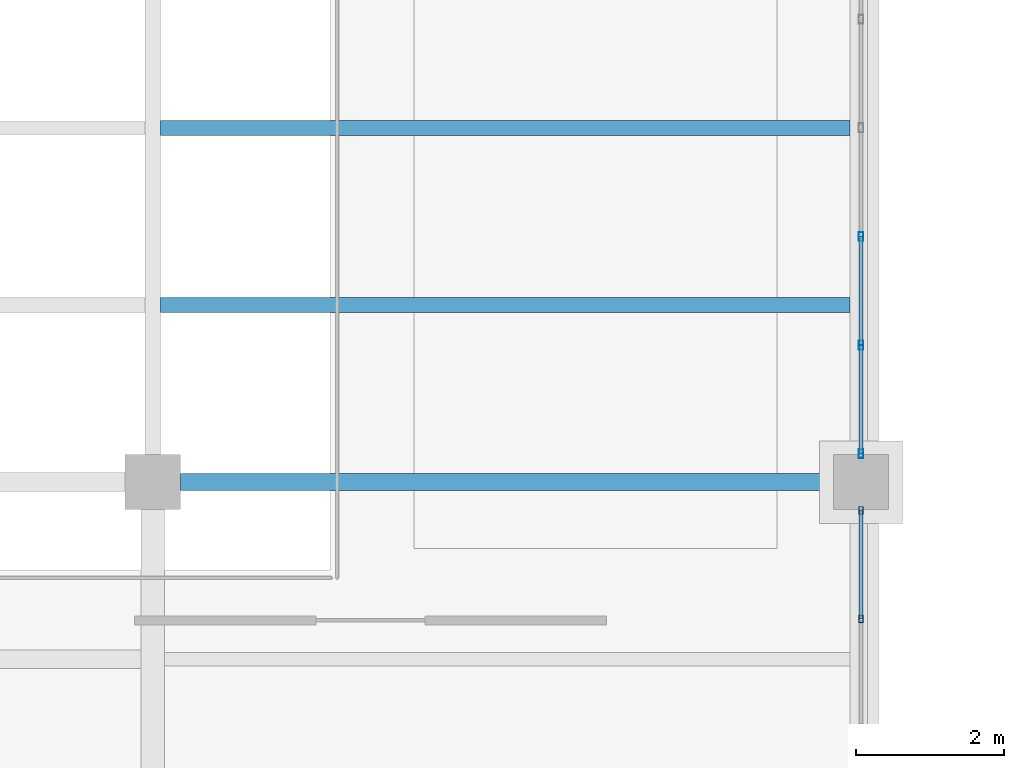
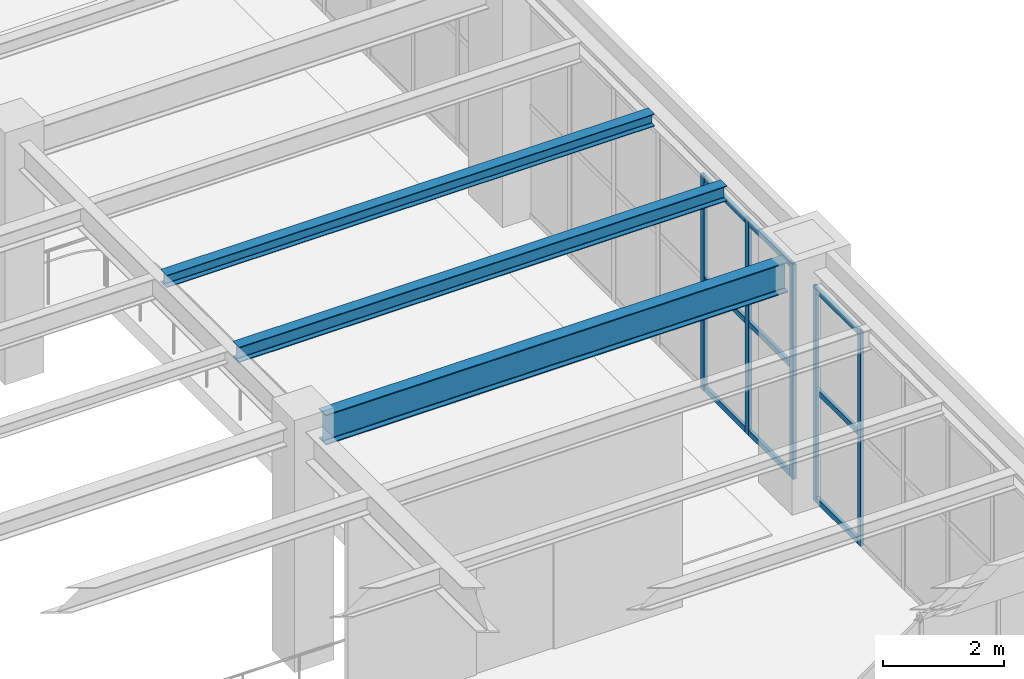
# One storey, part 25 of 174: 14 members, 3 beams, 2 elements without a shape of their own.
"""IFC4 building model written with IfcOpenShell, lengths in metres."""

from ifc_helpers import new_model, si_unit, direction, frame, origin, origin_2d, place, context, subcontext, project, spatial, hollow_rectangle, i_section, extrude, material, material_profile, profile_set, type_object, element, aggregate, save


model = new_model("IFC4")

# Units and contexts
model_context = context("Model", 3, precision=1e-05, world=origin(), true_north=direction((0.0, 1.0)))
body_context = subcontext(model_context, "Body", "Model", "MODEL_VIEW")
ifc_project = project(units=[si_unit("LENGTHUNIT", "METRE"), si_unit("AREAUNIT", "SQUARE_METRE"), si_unit("VOLUMEUNIT", "CUBIC_METRE"), si_unit("PLANEANGLEUNIT", "RADIAN"), si_unit("MASSUNIT", "GRAM", prefix="KILO")], contexts=[model_context])

# Site, building, storey
site_placement = place(None, origin())
site = spatial("IfcSite", under=ifc_project, at=site_placement, CompositionType="ELEMENT")
building_placement = place(site_placement, origin())
building = spatial("IfcBuilding", under=site, at=building_placement, Name="Mavantir Sound Aquarium", CompositionType="ELEMENT")
storey_placement = place(building_placement, frame((0.0, 0.0, 5.39990234375)))
storey = spatial("IfcBuildingStorey", under=building, at=storey_placement, Name="L01", CompositionType="ELEMENT", Elevation=5.39990234375)

# Beams
ifc_material_1 = material(Name="Structural Steel ASTM A992 Gr50", Category="steel")
ifc_material_profile_1 = material_profile(ifc_material_1, i_section(OverallWidth=0.202880859375, OverallDepth=0.251953125, WebThickness=0.008056640625, FlangeThickness=0.013427734375, FilletRadius=0.011962890625, at=origin_2d()), Name="W250X58")
ifc_profile_set_1 = profile_set([ifc_material_profile_1], Name="Structural Steel ASTM A992 Gr50")
beam_type_1 = type_object("IfcBeamType", Name="BM-W250X58-I", PredefinedType="JOIST", material=ifc_profile_set_1)
beam_1_placement = place(storey_placement, frame((28.906005859375, 14.39990234375, 4.670166015625), z_axis=(1.0, 0.0, 0.0), x_axis=(0.0, 1.0, 0.0)))
element("IfcBeam", 1, at=beam_1_placement, inside=storey, type_object=beam_type_1, Name="L01 secondary floor joist SJ-25 708", PredefinedType="JOIST", context=body_context, shape_type="SweptSolid", body=[
    extrude(i_section(OverallWidth=0.202880859375, OverallDepth=0.251953125, WebThickness=0.008056640625, FlangeThickness=0.013427734375, FilletRadius=0.011962890625, at=origin_2d()), origin(), (0.0, 0.0, 1.0), 9.341552734375),
])
ifc_material_profile_2 = material_profile(ifc_material_1, i_section(OverallWidth=0.205078125, OverallDepth=0.31005859375, WebThickness=0.009521484375, FlangeThickness=0.016357421875, FilletRadius=0.012939453125, at=origin_2d()), Name="W310X74")
ifc_profile_set_2 = profile_set([ifc_material_profile_2], Name="Structural Steel ASTM A992 Gr50")
beam_type_2 = type_object("IfcBeamType", Name="BM-W310X74-I", PredefinedType="JOIST", material=ifc_profile_set_2)
beam_2_placement = place(storey_placement, frame((28.906005859375, 12.0, 4.64111328125), z_axis=(1.0, 0.0, 0.0), x_axis=(0.0, 1.0, 0.0)))
element("IfcBeam", 2, at=beam_2_placement, inside=storey, type_object=beam_type_2, Name="L01 secondary floor joist SJ-31 707", PredefinedType="JOIST", context=body_context, shape_type="SweptSolid", body=[
    extrude(i_section(OverallWidth=0.205078125, OverallDepth=0.31005859375, WebThickness=0.009521484375, FlangeThickness=0.016357421875, FilletRadius=0.012939453125, at=origin_2d()), origin(), (0.0, 0.0, 1.0), 9.341552734375),
])
ifc_material_profile_3 = material_profile(ifc_material_1, i_section(OverallWidth=0.22900390625, OverallDepth=0.612060546875, WebThickness=0.011962890625, FlangeThickness=0.01953125, FilletRadius=0.01904296875, at=origin_2d()), Name="W610X125")
ifc_profile_set_3 = profile_set([ifc_material_profile_3], Name="Structural Steel ASTM A992 Gr50")
beam_type_3 = type_object("IfcBeamType", Name="BM-W610X125-I", PredefinedType="BEAM", material=ifc_profile_set_3)
beam_3_placement = place(storey_placement, frame((29.175048828125, 9.60009765625, 4.489990234375), z_axis=(1.0, 0.0, 0.0), x_axis=(0.0, 1.0, 0.0)))
element("IfcBeam", 3, at=beam_3_placement, inside=storey, type_object=beam_type_3, Name="L01 primary beam SB-61B 1213", PredefinedType="BEAM", context=body_context, shape_type="SweptSolid", body=[
    extrude(i_section(OverallWidth=0.22900390625, OverallDepth=0.612060546875, WebThickness=0.011962890625, FlangeThickness=0.01953125, FilletRadius=0.01904296875, at=origin_2d()), origin(), (0.0, 0.0, 1.0), 8.849853515625),
])

# Curtain wall, members
ifc_material_2 = material(Name="Anodised Marine Aluminium and Low-E Glass", Category="aluminium")
curtain_wall_type_1 = type_object("IfcCurtainWallType", Name="CW-T19", PredefinedType="USERDEFINED", material=ifc_material_2)
curtain_wall_1_placement = place(storey_placement, origin())
curtain_wall_1 = element("IfcCurtainWall", 4, at=curtain_wall_1_placement, inside=storey, type_object=curtain_wall_type_1, Name="L01 unitised curtain wall CW-19 67", ObjectType="UNITISED GLAZING", PredefinedType="USERDEFINED")
ifc_material_3 = material(Name="Anodised Marine Aluminium 6063-T6", Category="aluminium")
ifc_material_profile_4 = material_profile(ifc_material_3, hollow_rectangle(XDim=0.06005859375, YDim=0.10009765625, WallThickness=0.00390625, at=origin_2d()), Name="ALU-MULLION-100X60")
ifc_profile_set_4 = profile_set([ifc_material_profile_4], Name="Anodised Marine Aluminium 6063-T6")
member_type_1 = type_object("IfcMemberType", Name="CW-MUL-100", PredefinedType="MULLION", material=ifc_profile_set_4)
member_1_placement = place(storey_placement, frame((38.39990234375, 7.74462890625, 0.0), z_axis=(0.0, 0.0, 1.0), x_axis=(1.0, 0.0, 0.0)))
member_1 = element("IfcMember", 5, at=member_1_placement, type_object=member_type_1, Name="CW-L01-067 vertical mullion 6", PredefinedType="MULLION", context=body_context, shape_type="SweptSolid", body=[
    extrude(hollow_rectangle(XDim=0.06005859375, YDim=0.10009765625, WallThickness=0.00390625, at=origin_2d()), origin(), (0.0, 0.0, 1.0), 4.34912109375),
])
member_2_placement = place(storey_placement, frame((38.39990234375, 9.217041015625, 0.0), z_axis=(0.0, 0.0, 1.0), x_axis=(1.0, 0.0, 0.0)))
member_2 = element("IfcMember", 6, at=member_2_placement, type_object=member_type_1, Name="CW-L01-067 vertical mullion 7", PredefinedType="MULLION", context=body_context, shape_type="SweptSolid", body=[
    extrude(hollow_rectangle(XDim=0.06005859375, YDim=0.10009765625, WallThickness=0.00390625, at=origin_2d()), origin(), (0.0, 0.0, 1.0), 4.34912109375),
])

curtain_wall_type_2 = type_object("IfcCurtainWallType", Name="CW-T20", PredefinedType="USERDEFINED", material=ifc_material_2)
curtain_wall_2_placement = place(storey_placement, origin())
curtain_wall_2 = element("IfcCurtainWall", 7, at=curtain_wall_2_placement, inside=storey, type_object=curtain_wall_type_2, Name="L01 unitised curtain wall CW-20 68", ObjectType="UNITISED GLAZING", PredefinedType="USERDEFINED")
ifc_material_profile_5 = material_profile(ifc_material_3, hollow_rectangle(XDim=0.06494140625, YDim=0.1201171875, WallThickness=0.00390625, at=origin_2d()), Name="ALU-MULLION-120X65")
ifc_profile_set_5 = profile_set([ifc_material_profile_5], Name="Anodised Marine Aluminium 6063-T6")
member_type_2 = type_object("IfcMemberType", Name="CW-MUL-120", PredefinedType="MULLION", material=ifc_profile_set_5)
member_3_placement = place(storey_placement, frame((38.39990234375, 9.98291015625, 0.0), z_axis=(0.0, 0.0, 1.0), x_axis=(1.0, 0.0, 0.0)))
member_3 = element("IfcMember", 8, at=member_3_placement, type_object=member_type_2, Name="CW-L01-068 vertical mullion 1", PredefinedType="MULLION", context=body_context, shape_type="SweptSolid", body=[
    extrude(hollow_rectangle(XDim=0.06494140625, YDim=0.1201171875, WallThickness=0.00390625, at=origin_2d()), origin(), (0.0, 0.0, 1.0), 4.34912109375),
])
member_4_placement = place(storey_placement, frame((38.39990234375, 11.455322265625, 0.0), z_axis=(0.0, 0.0, 1.0), x_axis=(1.0, 0.0, 0.0)))
member_4 = element("IfcMember", 9, at=member_4_placement, type_object=member_type_2, Name="CW-L01-068 vertical mullion 2", PredefinedType="MULLION", context=body_context, shape_type="SweptSolid", body=[
    extrude(hollow_rectangle(XDim=0.06494140625, YDim=0.1201171875, WallThickness=0.00390625, at=origin_2d()), origin(), (0.0, 0.0, 1.0), 4.34912109375),
])
member_5_placement = place(storey_placement, frame((38.39990234375, 12.927734375, 0.0), z_axis=(0.0, 0.0, 1.0), x_axis=(1.0, 0.0, 0.0)))
member_5 = element("IfcMember", 10, at=member_5_placement, type_object=member_type_2, Name="CW-L01-068 vertical mullion 3", PredefinedType="MULLION", context=body_context, shape_type="SweptSolid", body=[
    extrude(hollow_rectangle(XDim=0.06494140625, YDim=0.1201171875, WallThickness=0.00390625, at=origin_2d()), origin(), (0.0, 0.0, 1.0), 4.34912109375),
])

# Member
ifc_material_profile_6 = material_profile(ifc_material_3, hollow_rectangle(XDim=0.06005859375, YDim=0.110107421875, WallThickness=0.00390625, at=origin_2d()), Name="ALU-TRANSOM-110X60")
ifc_profile_set_6 = profile_set([ifc_material_profile_6], Name="Anodised Marine Aluminium 6063-T6")
member_type_3 = type_object("IfcMemberType", Name="CW-TRN-110", PredefinedType="USERDEFINED", material=ifc_profile_set_6)
member_6_placement = place(storey_placement, frame((38.39990234375, 7.74462890625, 0.05517578125), z_axis=(0.0, 1.0, 0.0), x_axis=(-1.0, 0.0, 0.0)))
member_6 = element("IfcMember", 11, at=member_6_placement, type_object=member_type_3, Name="CW-L01-067 transom 6.1", ObjectType="TRANSOM", PredefinedType="USERDEFINED", context=body_context, shape_type="SweptSolid", body=[
    extrude(hollow_rectangle(XDim=0.06005859375, YDim=0.110107421875, WallThickness=0.00390625, at=origin_2d()), origin(), (0.0, 0.0, 1.0), 1.472412109375),
])

member_7_placement = place(storey_placement, frame((38.39990234375, 7.74462890625, 2.26171875), z_axis=(0.0, 1.0, 0.0), x_axis=(-1.0, 0.0, 0.0)))
member_7 = element("IfcMember", 12, at=member_7_placement, type_object=member_type_3, Name="CW-L01-067 transom 6.2", ObjectType="TRANSOM", PredefinedType="USERDEFINED", context=body_context, shape_type="SweptSolid", body=[
    extrude(hollow_rectangle(XDim=0.06005859375, YDim=0.110107421875, WallThickness=0.00390625, at=origin_2d()), origin(), (0.0, 0.0, 1.0), 1.472412109375),
])

member_8_placement = place(storey_placement, frame((38.39990234375, 7.74462890625, 4.294189453125), z_axis=(0.0, 1.0, 0.0), x_axis=(-1.0, 0.0, 0.0)))
member_8 = element("IfcMember", 13, at=member_8_placement, type_object=member_type_3, Name="CW-L01-067 transom 6.3", ObjectType="TRANSOM", PredefinedType="USERDEFINED", context=body_context, shape_type="SweptSolid", body=[
    extrude(hollow_rectangle(XDim=0.06005859375, YDim=0.110107421875, WallThickness=0.00390625, at=origin_2d()), origin(), (0.0, 0.0, 1.0), 1.472412109375),
])

aggregate(curtain_wall_1, [member_1, member_2, member_6, member_7, member_8])

member_9_placement = place(storey_placement, frame((38.39990234375, 9.98291015625, 0.05517578125), z_axis=(0.0, 1.0, 0.0), x_axis=(-1.0, 0.0, 0.0)))
member_9 = element("IfcMember", 14, at=member_9_placement, type_object=member_type_3, Name="CW-L01-068 transom 1.1", ObjectType="TRANSOM", PredefinedType="USERDEFINED", context=body_context, shape_type="SweptSolid", body=[
    extrude(hollow_rectangle(XDim=0.06005859375, YDim=0.110107421875, WallThickness=0.00390625, at=origin_2d()), origin(), (0.0, 0.0, 1.0), 1.472412109375),
])

member_10_placement = place(storey_placement, frame((38.39990234375, 9.98291015625, 2.26171875), z_axis=(0.0, 1.0, 0.0), x_axis=(-1.0, 0.0, 0.0)))
member_10 = element("IfcMember", 15, at=member_10_placement, type_object=member_type_3, Name="CW-L01-068 transom 1.2", ObjectType="TRANSOM", PredefinedType="USERDEFINED", context=body_context, shape_type="SweptSolid", body=[
    extrude(hollow_rectangle(XDim=0.06005859375, YDim=0.110107421875, WallThickness=0.00390625, at=origin_2d()), origin(), (0.0, 0.0, 1.0), 1.472412109375),
])

member_11_placement = place(storey_placement, frame((38.39990234375, 9.98291015625, 4.294189453125), z_axis=(0.0, 1.0, 0.0), x_axis=(-1.0, 0.0, 0.0)))
member_11 = element("IfcMember", 16, at=member_11_placement, type_object=member_type_3, Name="CW-L01-068 transom 1.3", ObjectType="TRANSOM", PredefinedType="USERDEFINED", context=body_context, shape_type="SweptSolid", body=[
    extrude(hollow_rectangle(XDim=0.06005859375, YDim=0.110107421875, WallThickness=0.00390625, at=origin_2d()), origin(), (0.0, 0.0, 1.0), 1.472412109375),
])

member_12_placement = place(storey_placement, frame((38.39990234375, 11.455322265625, 0.05517578125), z_axis=(0.0, 1.0, 0.0), x_axis=(-1.0, 0.0, 0.0)))
member_12 = element("IfcMember", 17, at=member_12_placement, type_object=member_type_3, Name="CW-L01-068 transom 2.1", ObjectType="TRANSOM", PredefinedType="USERDEFINED", context=body_context, shape_type="SweptSolid", body=[
    extrude(hollow_rectangle(XDim=0.06005859375, YDim=0.110107421875, WallThickness=0.00390625, at=origin_2d()), origin(), (0.0, 0.0, 1.0), 1.472412109375),
])

member_13_placement = place(storey_placement, frame((38.39990234375, 11.455322265625, 2.26171875), z_axis=(0.0, 1.0, 0.0), x_axis=(-1.0, 0.0, 0.0)))
member_13 = element("IfcMember", 18, at=member_13_placement, type_object=member_type_3, Name="CW-L01-068 transom 2.2", ObjectType="TRANSOM", PredefinedType="USERDEFINED", context=body_context, shape_type="SweptSolid", body=[
    extrude(hollow_rectangle(XDim=0.06005859375, YDim=0.110107421875, WallThickness=0.00390625, at=origin_2d()), origin(), (0.0, 0.0, 1.0), 1.472412109375),
])

member_14_placement = place(storey_placement, frame((38.39990234375, 11.455322265625, 4.294189453125), z_axis=(0.0, 1.0, 0.0), x_axis=(-1.0, 0.0, 0.0)))
member_14 = element("IfcMember", 19, at=member_14_placement, type_object=member_type_3, Name="CW-L01-068 transom 2.3", ObjectType="TRANSOM", PredefinedType="USERDEFINED", context=body_context, shape_type="SweptSolid", body=[
    extrude(hollow_rectangle(XDim=0.06005859375, YDim=0.110107421875, WallThickness=0.00390625, at=origin_2d()), origin(), (0.0, 0.0, 1.0), 1.472412109375),
])

aggregate(curtain_wall_2, [member_3, member_4, member_5, member_9, member_10, member_11, member_12, member_13, member_14])

save(model, "model.ifc")
